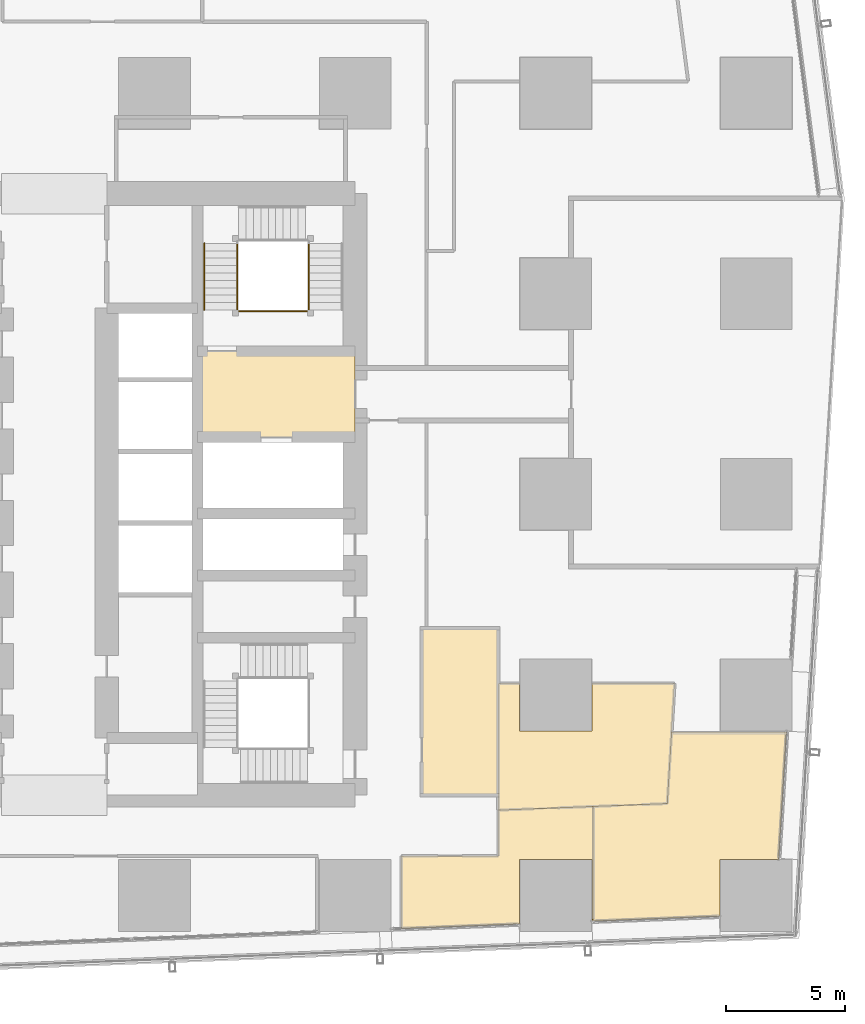
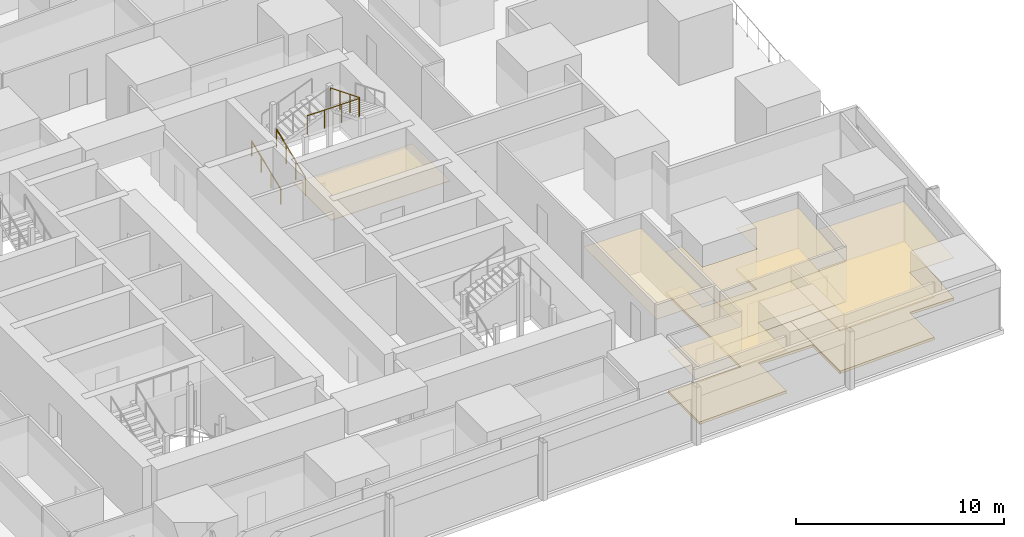
# One storey, part 36 of 38: 8 coverings, 4 railings.
"""IFC4 building model written with IfcOpenShell, lengths in metres."""

from ifc_helpers import new_model, si_unit, direction, frame, origin, origin_2d, place, context, subcontext, project, spatial, polyline, circle, outline, extrude, material, layer, layer_set, type_object, element, save


model = new_model("IFC4")

# Units and contexts
model_context = context("Model", 3, precision=1e-05, world=origin(), true_north=direction((0.0, 1.0)))
body_context = subcontext(model_context, "Body", "Model", "MODEL_VIEW")
ifc_project = project(units=[si_unit("LENGTHUNIT", "METRE"), si_unit("AREAUNIT", "SQUARE_METRE"), si_unit("VOLUMEUNIT", "CUBIC_METRE"), si_unit("PLANEANGLEUNIT", "RADIAN"), si_unit("MASSUNIT", "GRAM", prefix="KILO")], contexts=[model_context])

# Site, building, storey
site_placement = place(None, origin())
site = spatial("IfcSite", under=ifc_project, at=site_placement, CompositionType="ELEMENT")
building_placement = place(site_placement, origin())
building = spatial("IfcBuilding", under=site, at=building_placement, Name="Rekha Terrace Tower", CompositionType="ELEMENT")
storey_placement = place(building_placement, frame((0.0, 0.0, 159.050048828125)))
storey = spatial("IfcBuildingStorey", under=building, at=storey_placement, Name="L40", CompositionType="ELEMENT", Elevation=159.050048828125)

# Coverings
ifc_material_1 = material(Name="Mineral fibre tile in exposed grid", Category="finish")
ifc_layer_1 = layer(ifc_material_1, 0.02001953125)
ifc_layer_set_1 = layer_set([ifc_layer_1], Name="Mineral fibre tile in exposed grid")
covering_type_1 = type_object("IfcCoveringType", Name="CL1 600x1200 office grid ceiling", PredefinedType="CEILING", material=ifc_layer_set_1)
covering_1_placement = place(storey_placement, frame((0.0, 0.0, 2.47998046875)))
element("IfcCovering", 1, at=covering_1_placement, inside=storey, type_object=covering_type_1, Name="Ceiling L40-10", PredefinedType="CEILING", context=body_context, shape_type="SweptSolid", body=[
    extrude(outline(polyline([(52.35009765625, 18.449951171875), (52.35009765625, 15.4130859375), (56.402099609375, 15.571044921875), (57.284912109375, 15.60498046875), (57.284912109375, 18.31494140625), (60.31494140625, 18.31494140625), (60.31494140625, 15.721923828125), (60.35595703125, 15.72412109375), (60.35595703125, 20.528076171875), (56.402099609375, 20.3740234375), (56.402099609375, 18.449951171875), (52.35009765625, 18.449951171875)])), origin(), (0.0, 0.0, 1.0), 0.02001953125),
])
covering_2_placement = place(storey_placement, frame((0.0, 0.0, 2.47998046875)))
element("IfcCovering", 2, at=covering_2_placement, inside=storey, type_object=covering_type_1, Name="Ceiling L40-12", PredefinedType="CEILING", context=body_context, shape_type="SweptSolid", body=[
    extrude(outline(polyline([(68.14208984375, 18.31494140625), (68.468017578125, 23.64111328125), (63.658935546875, 23.64111328125), (63.47607421875, 20.64990234375), (60.35693359375, 20.528076171875), (60.35693359375, 15.72509765625), (65.68505859375, 15.931884765625), (65.68505859375, 18.31494140625), (68.14208984375, 18.31494140625)])), origin(), (0.0, 0.0, 1.0), 0.02001953125),
])
covering_3_placement = place(storey_placement, frame((0.0, 0.0, 2.47998046875)))
element("IfcCovering", 3, at=covering_3_placement, inside=storey, type_object=covering_type_1, Name="Ceiling L40-O3c", PredefinedType="CEILING", context=body_context, shape_type="SweptSolid", body=[
    extrude(outline(polyline([(56.39990234375, 25.677001953125), (56.39990234375, 20.3740234375), (60.3720703125, 20.529052734375), (63.47607421875, 20.64990234375), (63.658935546875, 23.64208984375), (63.783935546875, 25.677001953125), (60.31494140625, 25.677001953125), (60.31494140625, 23.68505859375), (57.284912109375, 23.68505859375), (57.284912109375, 25.677001953125), (56.39990234375, 25.677001953125)])), origin(), (0.0, 0.0, 1.0), 0.02001953125),
])
ifc_material_2 = material(Name="Fibre cement board", Category="finish")
ifc_layer_2 = layer(ifc_material_2, 0.014892578125)
ifc_layer_set_2 = layer_set([ifc_layer_2], Name="Fibre cement board")
covering_type_2 = type_object("IfcCoveringType", Name="CL2 moisture-resistant board ceiling", PredefinedType="CEILING", material=ifc_layer_set_2)
covering_4_placement = place(storey_placement, frame((0.0, 0.0, 2.48486328125)))
element("IfcCovering", 4, at=covering_4_placement, inside=storey, type_object=covering_type_2, Name="Ceiling L40-WCM2", PredefinedType="CEILING", context=body_context, shape_type="SweptSolid", body=[
    extrude(outline(polyline([(56.39990234375, 28.0), (53.199951171875, 28.0), (53.199951171875, 21.0), (56.39990234375, 21.0), (56.39990234375, 28.0)])), origin(), (0.0, 0.0, 1.0), 0.01513671875),
])
ifc_material_3 = material(Name="Powder-coated aluminium pan", Category="aluminium")
ifc_layer_3 = layer(ifc_material_3, 0.030029296875)
ifc_layer_set_3 = layer_set([ifc_layer_3], Name="Powder-coated aluminium pan")
covering_type_3 = type_object("IfcCoveringType", Name="CL3 300x1200 metal pan ceiling", PredefinedType="CEILING", material=ifc_layer_set_3)
covering_5_placement = place(storey_placement, frame((0.0, 0.0, 2.469970703125)))
element("IfcCovering", 5, at=covering_5_placement, inside=storey, type_object=covering_type_3, Name="Ceiling L40-FLB2", PredefinedType="CEILING", context=body_context, shape_type="SweptSolid", body=[
    extrude(outline(polyline([(50.39990234375, 39.60009765625), (43.800048828125, 39.60009765625), (43.800048828125, 36.0), (50.39990234375, 36.0), (50.39990234375, 39.60009765625)])), origin(), (0.0, 0.0, 1.0), 0.030029296875),
])

# Railings
ifc_material_4 = material(Name="Stainless steel balustrade", Category="steel")
railing_type_1 = type_object("IfcRailingType", Name="GR1 1100 stair guard", PredefinedType="GUARDRAIL", material=ifc_material_4)
railing_1_placement = place(storey_placement, frame((45.465087890625, 41.324951171875, 0.125)))
element("IfcRailing", 6, at=railing_1_placement, inside=storey, type_object=railing_type_1, Name="Guard ST2 L40 flight 1", PredefinedType="GUARDRAIL", context=body_context, shape_type="SweptSolid", body=[
    extrude(circle(Radius=0.02392578125, at=origin_2d()), frame((0.0, 0.0, 1.076171875), z_axis=(0.0, 0.927443287984, 0.373963831907), x_axis=(-1.0, 0.0, 0.0)), (0.0, 0.0, 1.0), 3.00830078125),
    extrude(circle(Radius=0.02099609375, at=origin_2d()), origin(), (0.0, 0.0, 1.0), 1.052001953125),
    extrude(circle(Radius=0.02099609375, at=origin_2d()), frame((0.0, 0.929931640625, 0.375)), (0.0, 0.0, 1.0), 1.052001953125),
    extrude(circle(Radius=0.02099609375, at=origin_2d()), frame((0.0, 1.860107421875, 0.75)), (0.0, 0.0, 1.0), 1.052001953125),
    extrude(circle(Radius=0.02099609375, at=origin_2d()), frame((0.0, 2.7900390625, 1.125)), (0.0, 0.0, 1.0), 1.052001953125),
])
railing_2_placement = place(storey_placement, frame((48.4599609375, 44.114990234375, 2.625)))
element("IfcRailing", 7, at=railing_2_placement, inside=storey, type_object=railing_type_1, Name="Guard ST2 L40 flight 3", PredefinedType="GUARDRAIL", context=body_context, shape_type="SweptSolid", body=[
    extrude(circle(Radius=0.02392578125, at=origin_2d()), frame((0.0, 0.0, 1.076171875), z_axis=(0.0, -0.927443287984, 0.373963831907), x_axis=(1.0, 0.0, 0.0)), (0.0, 0.0, 1.0), 3.00830078125),
    extrude(circle(Radius=0.02099609375, at=origin_2d()), origin(), (0.0, 0.0, 1.0), 1.052001953125),
    extrude(circle(Radius=0.02099609375, at=origin_2d()), frame((0.0, -0.929931640625, 0.375)), (0.0, 0.0, 1.0), 1.052001953125),
    extrude(circle(Radius=0.02099609375, at=origin_2d()), frame((0.0, -1.860107421875, 0.75)), (0.0, 0.0, 1.0), 1.052001953125),
    extrude(circle(Radius=0.02099609375, at=origin_2d()), frame((0.0, -2.7900390625, 1.125)), (0.0, 0.0, 1.0), 1.052001953125),
])
railing_3_placement = place(storey_placement, frame((45.52490234375, 41.264892578125, 3.75)))
element("IfcRailing", 8, at=railing_3_placement, inside=storey, type_object=railing_type_1, Name="Guard ST2 L40 landing 4", PredefinedType="GUARDRAIL", context=body_context, shape_type="SweptSolid", body=[
    extrude(circle(Radius=0.02392578125, at=origin_2d()), frame((0.0, 0.0, 1.076171875), z_axis=(1.0, 0.0, 0.0), x_axis=(0.0, 1.0, 0.0)), (0.0, 0.0, 1.0), 2.875),
    extrude(circle(Radius=0.02099609375, at=origin_2d()), origin(), (0.0, 0.0, 1.0), 1.052001953125),
    extrude(circle(Radius=0.02099609375, at=origin_2d()), frame((0.958251953125, 0.0, 0.0)), (0.0, 0.0, 1.0), 1.052001953125),
    extrude(circle(Radius=0.02099609375, at=origin_2d()), frame((1.916748046875, 0.0, 0.0)), (0.0, 0.0, 1.0), 1.052001953125),
    extrude(circle(Radius=0.02099609375, at=origin_2d()), frame((2.875, 0.0, 0.0)), (0.0, 0.0, 1.0), 1.052001953125),
])
ifc_material_5 = material(Name="Stainless steel tube", Category="steel")
railing_type_2 = type_object("IfcRailingType", Name="HR1 900 stair handrail", PredefinedType="HANDRAIL", material=ifc_material_5)
railing_4_placement = place(storey_placement, frame((44.0849609375, 41.324951171875, 0.125)))
element("IfcRailing", 9, at=railing_4_placement, inside=storey, type_object=railing_type_2, Name="Handrail ST2 L40 flight 1", PredefinedType="HANDRAIL", context=body_context, shape_type="SweptSolid", body=[
    extrude(circle(Radius=0.02392578125, at=origin_2d()), frame((0.0, 0.0, 0.8759765625), z_axis=(0.0, 0.927443287984, 0.373963831907), x_axis=(-1.0, 0.0, 0.0)), (0.0, 0.0, 1.0), 3.00830078125),
    extrude(circle(Radius=0.02099609375, at=origin_2d()), origin(), (0.0, 0.0, 1.0), 0.851806640625),
    extrude(circle(Radius=0.02099609375, at=origin_2d()), frame((0.0, 0.929931640625, 0.375)), (0.0, 0.0, 1.0), 0.851806640625),
    extrude(circle(Radius=0.02099609375, at=origin_2d()), frame((0.0, 1.860107421875, 0.75)), (0.0, 0.0, 1.0), 0.851806640625),
    extrude(circle(Radius=0.02099609375, at=origin_2d()), frame((0.0, 2.7900390625, 1.125)), (0.0, 0.0, 1.0), 0.851806640625),
])

# Coverings
ifc_material_6 = material(Name="Calcium sulphate panels on steel pedestals", Category="steel")
ifc_layer_4 = layer(ifc_material_6, 0.14990234375)
ifc_layer_set_4 = layer_set([ifc_layer_4], Name="Calcium sulphate panels on steel pedestals")
covering_type_4 = type_object("IfcCoveringType", Name="RF1 150 raised access floor", PredefinedType="FLOORING", material=ifc_layer_set_4)
covering_6_placement = place(storey_placement, origin())
element("IfcCovering", 10, at=covering_6_placement, inside=storey, type_object=covering_type_4, Name="Raised floor L40-10", PredefinedType="FLOORING", context=body_context, shape_type="SweptSolid", body=[
    extrude(outline(polyline([(52.35009765625, 18.449951171875), (52.35009765625, 15.4130859375), (56.402099609375, 15.571044921875), (57.284912109375, 15.60498046875), (57.284912109375, 18.31494140625), (60.31494140625, 18.31494140625), (60.31494140625, 15.721923828125), (60.35595703125, 15.72412109375), (60.35595703125, 20.528076171875), (56.402099609375, 20.3740234375), (56.402099609375, 18.449951171875), (52.35009765625, 18.449951171875)])), origin(), (0.0, 0.0, 1.0), 0.14990234375),
])
covering_7_placement = place(storey_placement, origin())
element("IfcCovering", 11, at=covering_7_placement, inside=storey, type_object=covering_type_4, Name="Raised floor L40-12", PredefinedType="FLOORING", context=body_context, shape_type="SweptSolid", body=[
    extrude(outline(polyline([(68.14208984375, 18.31494140625), (68.468017578125, 23.64111328125), (63.658935546875, 23.64111328125), (63.47607421875, 20.64990234375), (60.35693359375, 20.528076171875), (60.35693359375, 15.72509765625), (65.68505859375, 15.931884765625), (65.68505859375, 18.31494140625), (68.14208984375, 18.31494140625)])), origin(), (0.0, 0.0, 1.0), 0.14990234375),
])
covering_8_placement = place(storey_placement, origin())
element("IfcCovering", 12, at=covering_8_placement, inside=storey, type_object=covering_type_4, Name="Raised floor L40-O3c", PredefinedType="FLOORING", context=body_context, shape_type="SweptSolid", body=[
    extrude(outline(polyline([(56.39990234375, 25.677001953125), (56.39990234375, 20.3740234375), (60.3720703125, 20.529052734375), (63.47607421875, 20.64990234375), (63.658935546875, 23.64208984375), (63.783935546875, 25.677001953125), (60.31494140625, 25.677001953125), (60.31494140625, 23.68505859375), (57.284912109375, 23.68505859375), (57.284912109375, 25.677001953125), (56.39990234375, 25.677001953125)])), origin(), (0.0, 0.0, 1.0), 0.14990234375),
])

save(model, "model.ifc")
